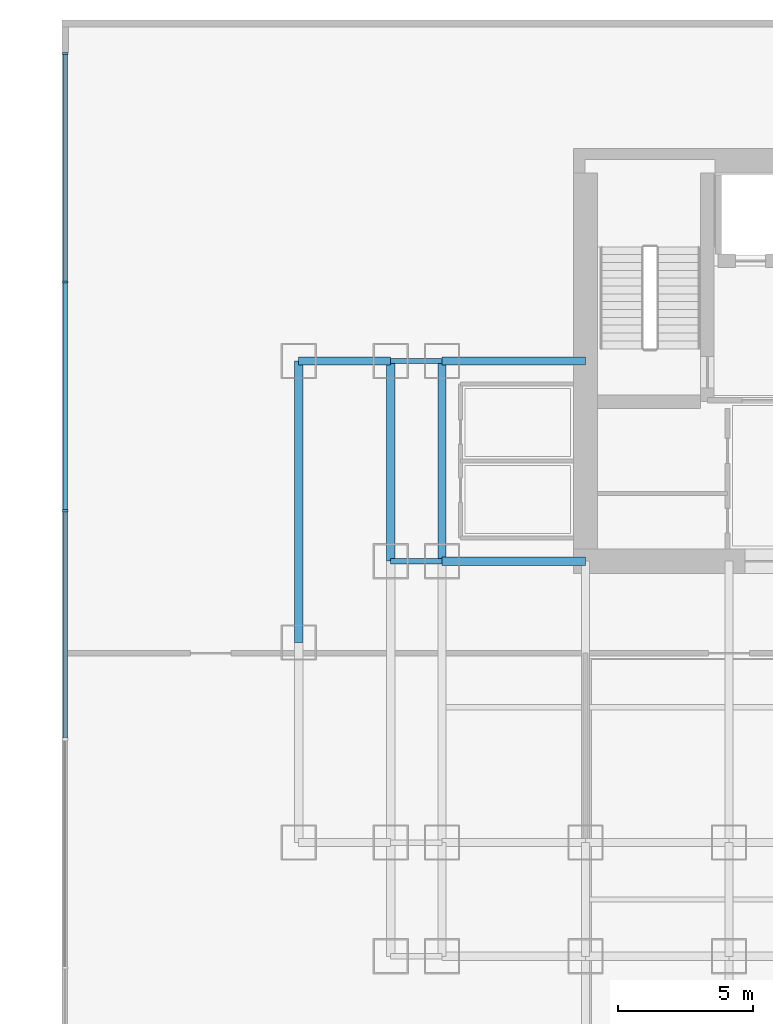
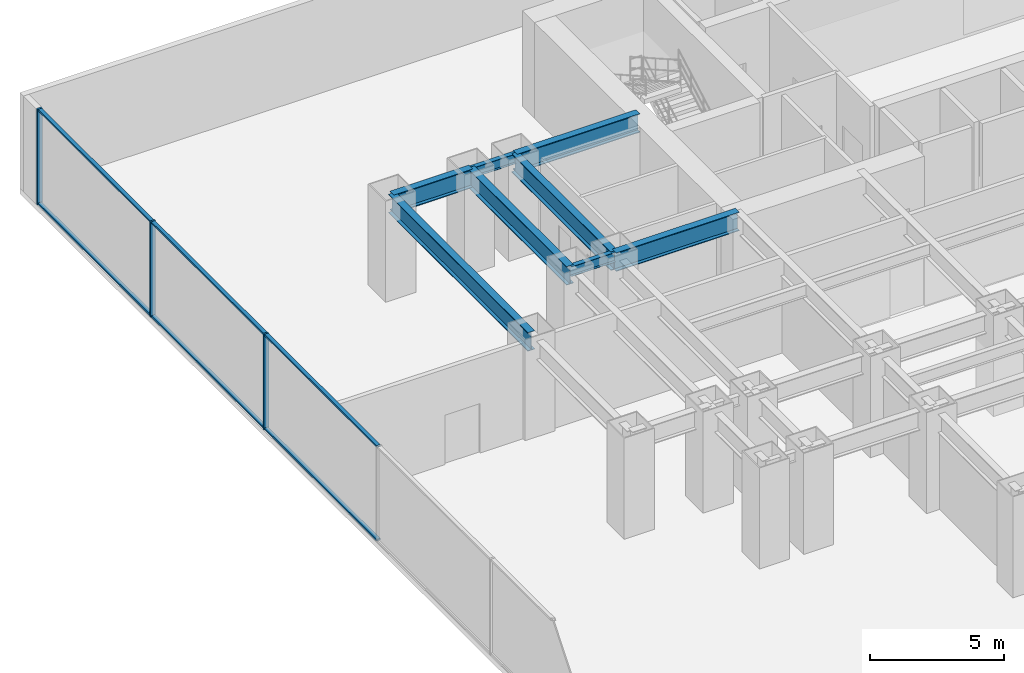
# One storey, part 5 of 13: 9 members, 8 beams, 1 element without a shape of its own.
"""IFC4 building model written with IfcOpenShell, lengths in metres."""

from ifc_helpers import new_model, si_unit, direction, frame, origin, origin_2d, place, context, subcontext, project, spatial, rectangle, i_section, extrude, source, transform, mapped, material, layer, layer_set, material_profile, profile_set, type_object, element, aggregate, save


model = new_model("IFC4")

# Units and contexts
model_context = context("Model", 3, precision=1e-05, world=origin(), true_north=direction((0.0, 1.0)))
body_context = subcontext(model_context, "Body", "Model", "MODEL_VIEW")
ifc_project = project(units=[si_unit("LENGTHUNIT", "METRE"), si_unit("AREAUNIT", "SQUARE_METRE"), si_unit("VOLUMEUNIT", "CUBIC_METRE"), si_unit("PLANEANGLEUNIT", "RADIAN"), si_unit("MASSUNIT", "GRAM", prefix="KILO")], contexts=[model_context])

# Site, building, storey
site_placement = place(None, origin())
site = spatial("IfcSite", under=ifc_project, at=site_placement, CompositionType="ELEMENT")
building_placement = place(site_placement, origin())
building = spatial("IfcBuilding", under=site, at=building_placement, Name="Qianlan Lanfeng Residences", CompositionType="ELEMENT")
storey_placement = place(building_placement, frame((0.0, 0.0, 5.199951171875)))
storey = spatial("IfcBuildingStorey", under=building, at=storey_placement, Name="L01", CompositionType="ELEMENT", Elevation=5.199951171875)

# Beams
ifc_material_1 = material(Name="Steel SN490B", Category="steel")
ifc_material_profile_1 = material_profile(ifc_material_1, i_section(OverallWidth=0.300048828125, OverallDepth=0.85009765625, WebThickness=0.01611328125, FlangeThickness=0.031982421875, at=origin_2d()), Name="H 850x300x16x32")
ifc_profile_set_1 = profile_set([ifc_material_profile_1], Name="Steel SN490B")
beam_type_1 = type_object("IfcBeamType", Name="G-1100", PredefinedType="BEAM", material=ifc_profile_set_1)
beam_1_placement = place(storey_placement, frame((5.300048828125, 25.199951171875, 3.925048828125), z_axis=(1.0, 0.0, 0.0), x_axis=(0.0, 1.0, 0.0)))
element("IfcBeam", 1, at=beam_1_placement, inside=storey, type_object=beam_type_1, Name="Structural beam G-1100", PredefinedType="BEAM", context=body_context, shape_type="SweptSolid", body=[
    extrude(i_section(OverallWidth=0.300048828125, OverallDepth=0.85009765625, WebThickness=0.01611328125, FlangeThickness=0.031982421875, at=origin_2d()), origin(), (0.0, 0.0, 1.0), 5.300048828125),
])
beam_2_placement = place(storey_placement, frame((0.0, 32.60009765625, 3.925048828125), z_axis=(1.0, 0.0, 0.0), x_axis=(0.0, 1.0, 0.0)))
element("IfcBeam", 2, at=beam_2_placement, inside=storey, type_object=beam_type_1, Name="Structural beam G-1100", PredefinedType="BEAM", context=body_context, shape_type="SweptSolid", body=[
    extrude(i_section(OverallWidth=0.300048828125, OverallDepth=0.85009765625, WebThickness=0.01611328125, FlangeThickness=0.031982421875, at=origin_2d()), origin(), (0.0, 0.0, 1.0), 3.39990234375),
])
beam_3_placement = place(storey_placement, frame((5.300048828125, 32.60009765625, 3.925048828125), z_axis=(1.0, 0.0, 0.0), x_axis=(0.0, 1.0, 0.0)))
element("IfcBeam", 3, at=beam_3_placement, inside=storey, type_object=beam_type_1, Name="Structural beam G-1100", PredefinedType="BEAM", context=body_context, shape_type="SweptSolid", body=[
    extrude(i_section(OverallWidth=0.300048828125, OverallDepth=0.85009765625, WebThickness=0.01611328125, FlangeThickness=0.031982421875, at=origin_2d()), origin(), (0.0, 0.0, 1.0), 5.300048828125),
])
beam_4_placement = place(storey_placement, frame((0.0, 22.199951171875, 3.925048828125), z_axis=(0.0, 1.0, 0.0), x_axis=(-1.0, 0.0, 0.0)))
element("IfcBeam", 4, at=beam_4_placement, inside=storey, type_object=beam_type_1, Name="Structural beam G-1100", PredefinedType="BEAM", context=body_context, shape_type="SweptSolid", body=[
    extrude(i_section(OverallWidth=0.300048828125, OverallDepth=0.85009765625, WebThickness=0.01611328125, FlangeThickness=0.031982421875, at=origin_2d()), origin(), (0.0, 0.0, 1.0), 10.400146484375),
])
for number, where, z_axis, x_axis, name in (
    (5, (3.39990234375, 25.199951171875, 3.925048828125), (0.0, 1.0, 0.0), (-1.0, 0.0, 0.0), "Structural beam G-1100"),
    (6, (5.300048828125, 25.199951171875, 3.925048828125), (0.0, 1.0, 0.0), (-1.0, 0.0, 0.0), "Structural beam G-1100"),
):
    element("IfcBeam", number, at=place(storey_placement, frame(where, z_axis=z_axis, x_axis=x_axis)), inside=storey, type_object=beam_type_1, Name=name, PredefinedType="BEAM", context=body_context, shape_type="SweptSolid", body=[
        extrude(i_section(OverallWidth=0.300048828125, OverallDepth=0.85009765625, WebThickness=0.01611328125, FlangeThickness=0.031982421875, at=origin_2d()), origin(), (0.0, 0.0, 1.0), 7.400146484375),
    ])
ifc_material_profile_2 = material_profile(ifc_material_1, i_section(OverallWidth=0.199951171875, OverallDepth=0.449951171875, WebThickness=0.009033203125, FlangeThickness=0.013916015625, at=origin_2d()), Name="H 450x200x9x14")
ifc_profile_set_2 = profile_set([ifc_material_profile_2], Name="Steel SN490B")
beam_type_2 = type_object("IfcBeamType", Name="J-450", PredefinedType="JOIST", material=ifc_profile_set_2)
for number, where, z_axis, x_axis, name in (
    (7, (3.39990234375, 25.199951171875, 4.125), (1.0, 0.0, 0.0), (0.0, 1.0, 0.0), "Structural beam J-450"),
    (8, (3.39990234375, 32.60009765625, 4.125), (1.0, 0.0, 0.0), (0.0, 1.0, 0.0), "Structural beam J-450"),
):
    element("IfcBeam", number, at=place(storey_placement, frame(where, z_axis=z_axis, x_axis=x_axis)), inside=storey, type_object=beam_type_2, Name=name, PredefinedType="JOIST", context=body_context, shape_type="SweptSolid", body=[
        extrude(i_section(OverallWidth=0.199951171875, OverallDepth=0.449951171875, WebThickness=0.009033203125, FlangeThickness=0.013916015625, at=origin_2d()), origin(), (0.0, 0.0, 1.0), 1.900146484375),
    ])

# Curtain wall, members
ifc_material_2 = material(Name="Anodised Bronze Aluminium 6063-T6", Category="aluminium")
ifc_layer = layer(ifc_material_2, 0.219970703125)
ifc_layer_set = layer_set([ifc_layer], Name="Anodised Bronze Aluminium 6063-T6")
curtain_wall_type = type_object("IfcCurtainWallType", Name="CW-01", PredefinedType="NOTDEFINED", material=ifc_layer_set)
curtain_wall_placement = place(storey_placement, origin())
curtain_wall = element("IfcCurtainWall", 9, at=curtain_wall_placement, inside=storey, type_object=curtain_wall_type, Name="L01 Unitised Curtain Wall CWR-L01-W (CW-01)", PredefinedType="NOTDEFINED")
ifc_material_profile_3 = material_profile(ifc_material_2, rectangle(XDim=0.080078125, YDim=0.2099609375, at=origin_2d()), Name="ALU MULLION 80x210")
ifc_profile_set_3 = profile_set([ifc_material_profile_3], Name="Anodised Bronze Aluminium 6063-T6")
member_type_1 = type_object("IfcMemberType", Name="CWM-220", PredefinedType="MULLION", material=ifc_profile_set_3)
shared_shape_1 = source(origin(), body_context, "Body", "SweptSolid", [
    extrude(rectangle(XDim=0.080078125, YDim=0.2099609375, at=origin_2d()), origin(), (0.0, 0.0, 1.0), 4.35009765625),
])
member_1_placement = place(storey_placement, frame((-8.6298828125, 43.9599609375, 0.0), z_axis=(0.0, 0.0, 1.0), x_axis=(0.0, -1.0, 0.0)))
member_1 = element("IfcMember", 10, at=member_1_placement, type_object=member_type_1, Name="CWR-L01-W Mullion 1", PredefinedType="MULLION", context=body_context, shape_type="MappedRepresentation", body=[
    mapped(shared_shape_1, transform((0.0, 0.0, 0.0), scale=1.0)),
])
member_2_placement = place(storey_placement, frame((-8.6298828125, 35.51318359375, 0.0), z_axis=(0.0, 0.0, 1.0), x_axis=(0.0, -1.0, 0.0)))
member_2 = element("IfcMember", 11, at=member_2_placement, type_object=member_type_1, Name="CWR-L01-W Mullion 2", PredefinedType="MULLION", context=body_context, shape_type="MappedRepresentation", body=[
    mapped(shared_shape_1, transform((0.0, 0.0, 0.0), scale=1.0)),
])
member_3_placement = place(storey_placement, frame((-8.6298828125, 27.066650390625, 0.0), z_axis=(0.0, 0.0, 1.0), x_axis=(0.0, -1.0, 0.0)))
member_3 = element("IfcMember", 12, at=member_3_placement, type_object=member_type_1, Name="CWR-L01-W Mullion 3", PredefinedType="MULLION", context=body_context, shape_type="MappedRepresentation", body=[
    mapped(shared_shape_1, transform((0.0, 0.0, 0.0), scale=1.0)),
])
ifc_material_profile_4 = material_profile(ifc_material_2, rectangle(XDim=0.080078125, YDim=0.159912109375, at=origin_2d()), Name="ALU TRANSOM 80x160")
ifc_profile_set_4 = profile_set([ifc_material_profile_4], Name="Anodised Bronze Aluminium 6063-T6")
member_type_2 = type_object("IfcMemberType", Name="CWT-180", PredefinedType="USERDEFINED", material=ifc_profile_set_4)
shared_shape_2 = source(origin(), body_context, "Body", "SweptSolid", [
    extrude(rectangle(XDim=0.080078125, YDim=0.159912109375, at=origin_2d()), origin(), (0.0, 0.0, 1.0), 8.36669921875),
])
member_4_placement = place(storey_placement, frame((-8.6298828125, 43.919921875, 0.0400390625), z_axis=(0.0, -1.0, 0.0), x_axis=(0.0, 0.0, 1.0)))
member_4 = element("IfcMember", 13, at=member_4_placement, type_object=member_type_2, Name="CWR-L01-W Transom 1-BOT", ObjectType="TRANSOM", PredefinedType="USERDEFINED", context=body_context, shape_type="MappedRepresentation", body=[
    mapped(shared_shape_2, transform((0.0, 0.0, 0.0), scale=1.0)),
])
member_5_placement = place(storey_placement, frame((-8.6298828125, 43.919921875, 4.31005859375), z_axis=(0.0, -1.0, 0.0), x_axis=(0.0, 0.0, 1.0)))
member_5 = element("IfcMember", 14, at=member_5_placement, type_object=member_type_2, Name="CWR-L01-W Transom 1-TOP", ObjectType="TRANSOM", PredefinedType="USERDEFINED", context=body_context, shape_type="MappedRepresentation", body=[
    mapped(shared_shape_2, transform((0.0, 0.0, 0.0), scale=1.0)),
])
member_6_placement = place(storey_placement, frame((-8.6298828125, 35.473388671875, 0.0400390625), z_axis=(0.0, -1.0, 0.0), x_axis=(0.0, 0.0, 1.0)))
member_6 = element("IfcMember", 15, at=member_6_placement, type_object=member_type_2, Name="CWR-L01-W Transom 2-BOT", ObjectType="TRANSOM", PredefinedType="USERDEFINED", context=body_context, shape_type="MappedRepresentation", body=[
    mapped(shared_shape_2, transform((0.0, 0.0, 0.0), scale=1.0)),
])
member_7_placement = place(storey_placement, frame((-8.6298828125, 35.473388671875, 4.31005859375), z_axis=(0.0, -1.0, 0.0), x_axis=(0.0, 0.0, 1.0)))
member_7 = element("IfcMember", 16, at=member_7_placement, type_object=member_type_2, Name="CWR-L01-W Transom 2-TOP", ObjectType="TRANSOM", PredefinedType="USERDEFINED", context=body_context, shape_type="MappedRepresentation", body=[
    mapped(shared_shape_2, transform((0.0, 0.0, 0.0), scale=1.0)),
])
member_8_placement = place(storey_placement, frame((-8.6298828125, 27.026611328125, 0.0400390625), z_axis=(0.0, -1.0, 0.0), x_axis=(0.0, 0.0, 1.0)))
member_8 = element("IfcMember", 17, at=member_8_placement, type_object=member_type_2, Name="CWR-L01-W Transom 3-BOT", ObjectType="TRANSOM", PredefinedType="USERDEFINED", context=body_context, shape_type="MappedRepresentation", body=[
    mapped(shared_shape_2, transform((0.0, 0.0, 0.0), scale=1.0)),
])
member_9_placement = place(storey_placement, frame((-8.6298828125, 27.026611328125, 4.31005859375), z_axis=(0.0, -1.0, 0.0), x_axis=(0.0, 0.0, 1.0)))
member_9 = element("IfcMember", 18, at=member_9_placement, type_object=member_type_2, Name="CWR-L01-W Transom 3-TOP", ObjectType="TRANSOM", PredefinedType="USERDEFINED", context=body_context, shape_type="MappedRepresentation", body=[
    mapped(shared_shape_2, transform((0.0, 0.0, 0.0), scale=1.0)),
])
aggregate(curtain_wall, [member_1, member_2, member_3, member_4, member_5, member_6, member_7, member_8, member_9])

save(model, "model.ifc")
